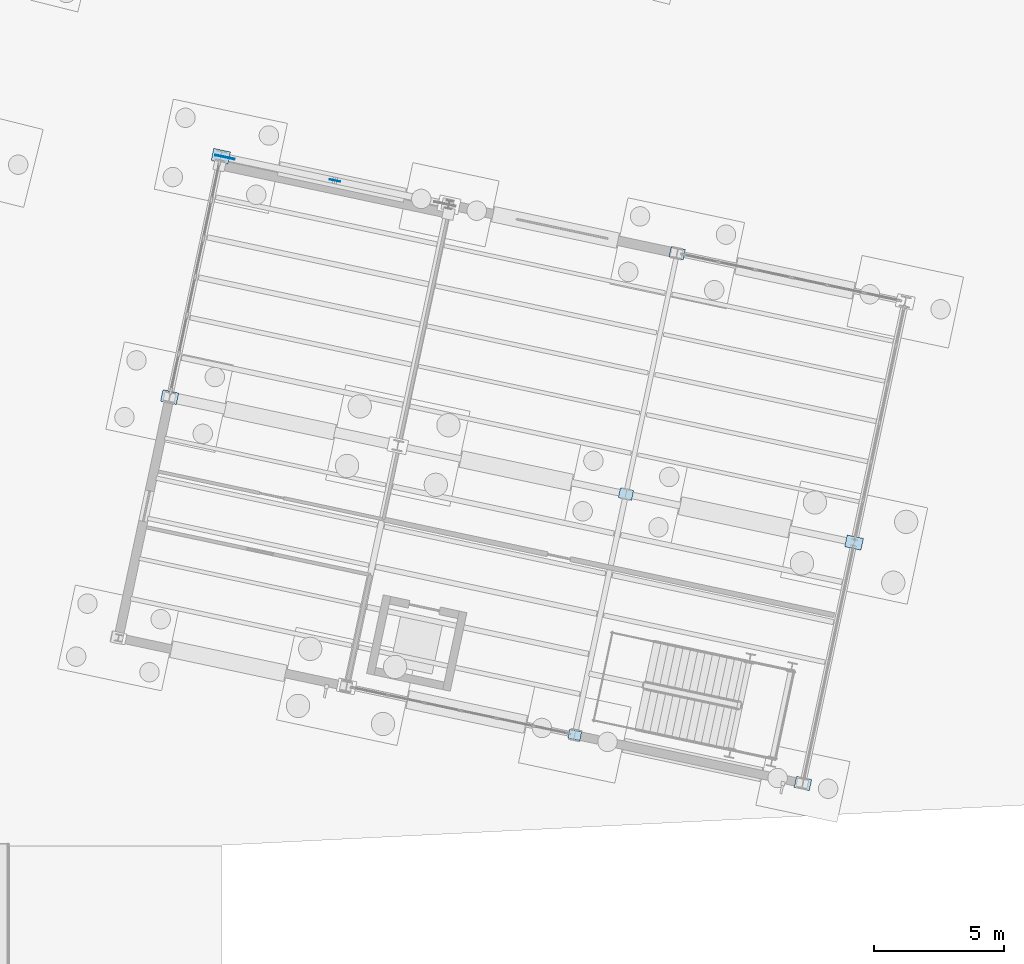
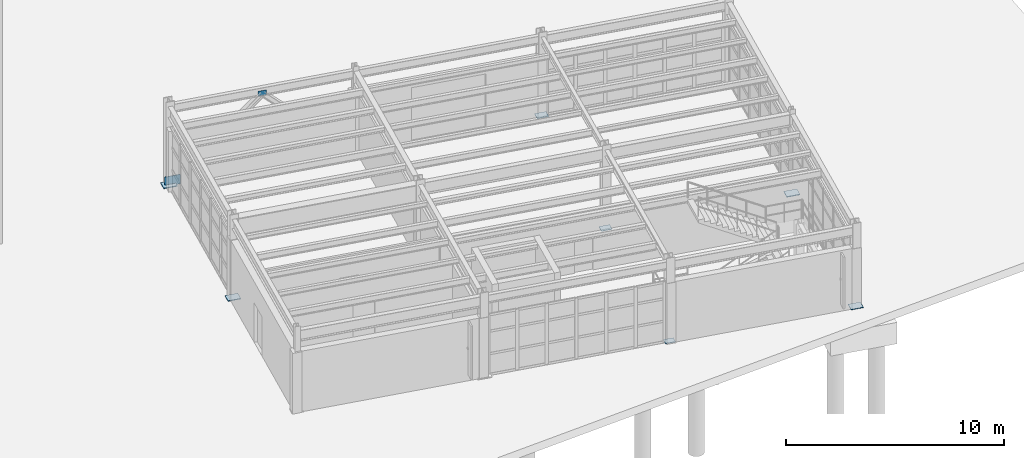
# One storey, part 81 of 108: 9 plates.
"""IFC4 building model written with IfcOpenShell, lengths in metres."""

from ifc_helpers import new_model, si_unit, direction, frame, origin, origin_2d, place, context, subcontext, project, spatial, rectangle, extrude, material, layer, layer_set, type_object, element, save


model = new_model("IFC4")

# Units and contexts
model_context = context("Model", 3, precision=1e-05, world=origin(), true_north=direction((0.0, 1.0)))
body_context = subcontext(model_context, "Body", "Model", "MODEL_VIEW")
ifc_project = project(units=[si_unit("LENGTHUNIT", "METRE"), si_unit("AREAUNIT", "SQUARE_METRE"), si_unit("VOLUMEUNIT", "CUBIC_METRE"), si_unit("PLANEANGLEUNIT", "RADIAN"), si_unit("MASSUNIT", "GRAM", prefix="KILO")], contexts=[model_context])

# Site, building, storey
site_placement = place(None, origin())
site = spatial("IfcSite", under=ifc_project, at=site_placement, CompositionType="ELEMENT")
building_placement = place(site_placement, origin())
building = spatial("IfcBuilding", under=site, at=building_placement, Name="Vireo Bluff Cable Station", CompositionType="ELEMENT")
storey_placement = place(building_placement, origin())
storey = spatial("IfcBuildingStorey", under=building, at=storey_placement, Name="L00", CompositionType="ELEMENT", Elevation=0.0)

# Plates
ifc_material = material(Name="Steel ASTM A572 Gr. 50", Category="steel")
ifc_layer_1 = layer(ifc_material, 0.02490234375, Name="Steel ASTM A572 Gr. 50")
ifc_layer_set_1 = layer_set([ifc_layer_1], Name="Steel ASTM A572 Gr. 50")
plate_type_1 = type_object("IfcPlateType", Name="BASEPLATE-480X340X25", PredefinedType="SHEET", material=ifc_layer_set_1)
plate_1_placement = place(storey_placement, frame((147.606689453125, 6.257568359375, 0.0), z_axis=(0.0, 0.0, 1.0), x_axis=(0.978147600734, -0.207911690818, 0.0)))
element("IfcPlate", 1, at=plate_1_placement, inside=storey, type_object=plate_type_1, Name="V5E column baseplate 272", PredefinedType="SHEET", context=body_context, shape_type="SweptSolid", body=[
    extrude(rectangle(XDim=0.47998046875, YDim=0.340087890625, at=origin_2d()), origin(), (0.0, 0.0, 1.0), 0.02490234375),
])
ifc_layer_2 = layer(ifc_material, 0.028076171875, Name="Steel ASTM A572 Gr. 50")
ifc_layer_set_2 = layer_set([ifc_layer_2], Name="Steel ASTM A572 Gr. 50")
plate_type_2 = type_object("IfcPlateType", Name="BASEPLATE-520X380X28", PredefinedType="SHEET", material=ifc_layer_set_2)
plate_2_placement = place(storey_placement, frame((149.581787109375, 15.550048828125, 0.0), z_axis=(0.0, 0.0, 1.0), x_axis=(0.978147600734, -0.207911690818, 0.0)))
element("IfcPlate", 2, at=plate_2_placement, inside=storey, type_object=plate_type_2, Name="V5E column baseplate 273", PredefinedType="SHEET", context=body_context, shape_type="SweptSolid", body=[
    extrude(rectangle(XDim=0.52001953125, YDim=0.3798828125, at=origin_2d()), origin(), (0.0, 0.0, 1.0), 0.028076171875),
])
ifc_layer_3 = layer(ifc_material, 0.031982421875, Name="Steel ASTM A572 Gr. 50")
ifc_layer_set_3 = layer_set([ifc_layer_3], Name="Steel ASTM A572 Gr. 50")
plate_type_3 = type_object("IfcPlateType", Name="BASEPLATE-560X400X32", PredefinedType="SHEET", material=ifc_layer_set_3)
plate_3_placement = place(storey_placement, frame((151.556884765625, 24.84228515625, 0.0), z_axis=(0.0, 0.0, 1.0), x_axis=(0.978147600734, -0.207911690818, 0.0)))
element("IfcPlate", 3, at=plate_3_placement, inside=storey, type_object=plate_type_3, Name="V5E column baseplate 274", PredefinedType="SHEET", context=body_context, shape_type="SweptSolid", body=[
    extrude(rectangle(XDim=0.56005859375, YDim=0.39990234375, at=origin_2d()), origin(), (0.0, 0.0, 1.0), 0.031982421875),
])
ifc_layer_4 = layer(ifc_material, 0.035888671875, Name="Steel ASTM A572 Gr. 50")
ifc_layer_set_4 = layer_set([ifc_layer_4], Name="Steel ASTM A572 Gr. 50")
plate_type_4 = type_object("IfcPlateType", Name="BASEPLATE-600X440X36", PredefinedType="SHEET", material=ifc_layer_set_4)
plate_4_placement = place(storey_placement, frame((156.409912109375, 4.386474609375, 0.0), z_axis=(0.0, 0.0, 1.0), x_axis=(0.978147600734, -0.207911690818, 0.0)))
element("IfcPlate", 4, at=plate_4_placement, inside=storey, type_object=plate_type_4, Name="V5E column baseplate 275", PredefinedType="SHEET", context=body_context, shape_type="SweptSolid", body=[
    extrude(rectangle(XDim=0.60009765625, YDim=0.43994140625, at=origin_2d()), origin(), (0.0, 0.0, 1.0), 0.035888671875),
])
ifc_layer_5 = layer(ifc_material, 0.0380859375, Name="Steel ASTM A572 Gr. 50")
ifc_layer_set_5 = layer_set([ifc_layer_5], Name="Steel ASTM A572 Gr. 50")
plate_type_5 = type_object("IfcPlateType", Name="BASEPLATE-620X450X38", PredefinedType="SHEET", material=ifc_layer_set_5)
plate_5_placement = place(storey_placement, frame((131.97509765625, 19.29248046875, 0.0), z_axis=(0.0, 0.0, 1.0), x_axis=(0.978147600734, -0.207911690818, 0.0)))
element("IfcPlate", 5, at=plate_5_placement, inside=storey, type_object=plate_type_5, Name="V5E column baseplate 267", PredefinedType="SHEET", context=body_context, shape_type="SweptSolid", body=[
    extrude(rectangle(XDim=0.6201171875, YDim=0.449951171875, at=origin_2d()), origin(), (0.0, 0.0, 1.0), 0.0380859375),
])
ifc_layer_6 = layer(ifc_material, 0.0400390625, Name="Steel ASTM A572 Gr. 50")
ifc_layer_set_6 = layer_set([ifc_layer_6], Name="Steel ASTM A572 Gr. 50")
plate_type_6 = type_object("IfcPlateType", Name="BASEPLATE-640X460X40", PredefinedType="SHEET", material=ifc_layer_set_6)
plate_6_placement = place(storey_placement, frame((158.38525390625, 13.6787109375, 0.0), z_axis=(0.0, 0.0, 1.0), x_axis=(0.978147600734, -0.207911690818, 0.0)))
element("IfcPlate", 6, at=plate_6_placement, inside=storey, type_object=plate_type_6, Name="V5E column baseplate 276", PredefinedType="SHEET", context=body_context, shape_type="SweptSolid", body=[
    extrude(rectangle(XDim=0.639892578125, YDim=0.4599609375, at=origin_2d()), origin(), (0.0, 0.0, 1.0), 0.0400390625),
])
ifc_layer_7 = layer(ifc_material, 0.041015625, Name="Steel ASTM A572 Gr. 50")
ifc_layer_set_7 = layer_set([ifc_layer_7], Name="Steel ASTM A572 Gr. 50")
plate_type_7 = type_object("IfcPlateType", Name="BASEPLATE-660X480X41", PredefinedType="SHEET", material=ifc_layer_set_7)
plate_7_placement = place(storey_placement, frame((133.950439453125, 28.584716796875, 0.0), z_axis=(0.0, 0.0, 1.0), x_axis=(0.978147600734, -0.207911690818, 0.0)))
element("IfcPlate", 7, at=plate_7_placement, inside=storey, type_object=plate_type_7, Name="V5E column baseplate 268", PredefinedType="SHEET", context=body_context, shape_type="SweptSolid", body=[
    extrude(rectangle(XDim=0.659912109375, YDim=0.47998046875, at=origin_2d()), origin(), (0.0, 0.0, 1.0), 0.041015625),
])
ifc_layer_8 = layer(ifc_material, 0.01611328125, Name="Steel ASTM A572 Gr. 50")
ifc_layer_set_8 = layer_set([ifc_layer_8], Name="Steel ASTM A572 Gr. 50")
plate_type_8 = type_object("IfcPlateType", Name="GUSSET-420X280X16", PredefinedType="USERDEFINED", material=ifc_layer_set_8)
plate_8_placement = place(storey_placement, frame((138.35205078125, 27.649169921875, 4.0400390625), z_axis=(0.0, 0.0, 1.0), x_axis=(0.978147600734, -0.207911690818, 0.0)))
element("IfcPlate", 8, at=plate_8_placement, inside=storey, type_object=plate_type_8, Name="V5E L00 chevron gusset plate 280", ObjectType="GUSSET PLATE", PredefinedType="USERDEFINED", context=body_context, shape_type="SweptSolid", body=[
    extrude(rectangle(XDim=0.419921875, YDim=0.01611328125, at=origin_2d()), origin(), (0.0, 0.0, 1.0), 0.280029296875),
])
ifc_layer_9 = layer(ifc_material, 0.032958984375, Name="Steel ASTM A572 Gr. 50")
ifc_layer_set_9 = layer_set([ifc_layer_9], Name="Steel ASTM A572 Gr. 50")
plate_type_9 = type_object("IfcPlateType", Name="GUSSET-760X530X33", PredefinedType="USERDEFINED", material=ifc_layer_set_9)
plate_9_placement = place(storey_placement, frame((134.10693359375, 28.551513671875, -0.044921875), z_axis=(0.0, 0.0, 1.0), x_axis=(0.978147600734, -0.207911690818, 0.0)))
element("IfcPlate", 9, at=plate_9_placement, inside=storey, type_object=plate_type_9, Name="V5E L00 brace base gusset plate 278", ObjectType="GUSSET PLATE", PredefinedType="USERDEFINED", context=body_context, shape_type="SweptSolid", body=[
    extrude(rectangle(XDim=0.760009765625, YDim=0.032958984375, at=origin_2d()), origin(), (0.0, 0.0, 1.0), 0.530029296875),
])

save(model, "model.ifc")
